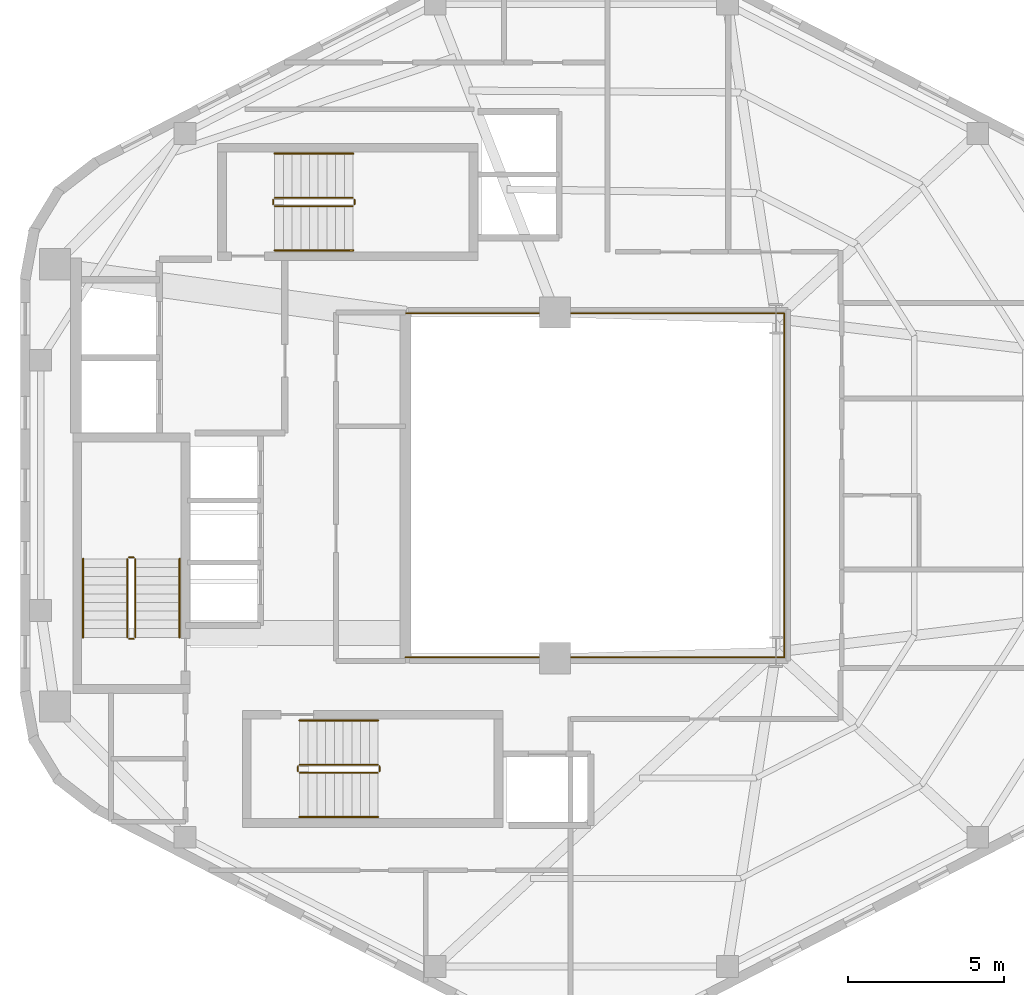
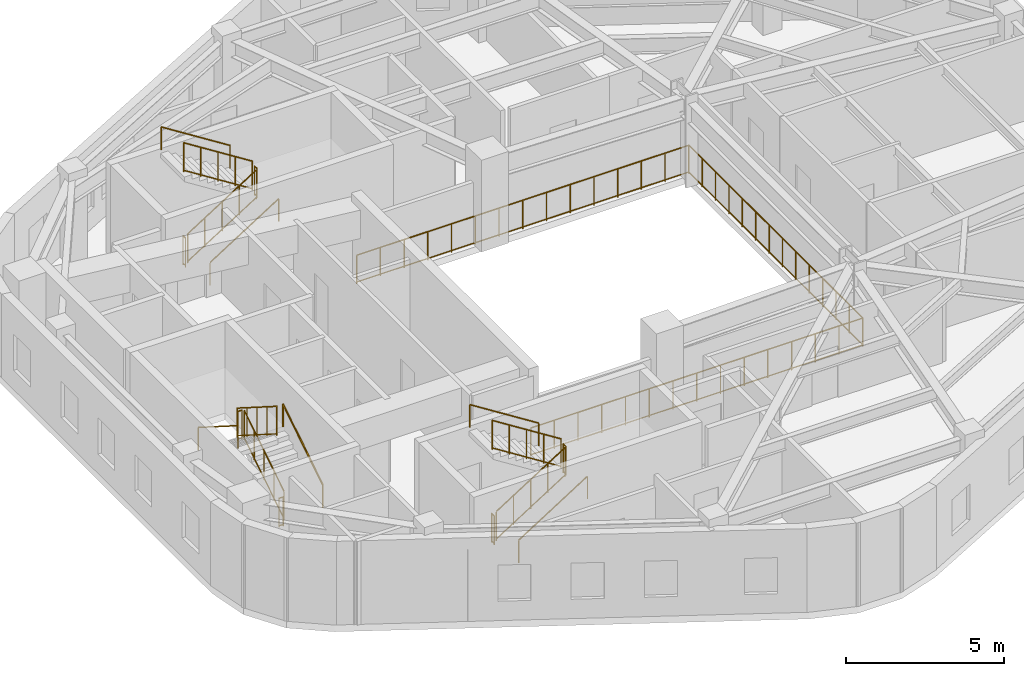
# One storey, part 6 of 6: 19 railings.
"""IFC4 building model written with IfcOpenShell, lengths in metres."""

from ifc_helpers import new_model, si_unit, direction, frame, origin, origin_2d, place, context, subcontext, project, spatial, circle, extrude, material, type_object, element, save


model = new_model("IFC4")

# Units and contexts
model_context = context("Model", 3, precision=1e-05, world=origin(), true_north=direction((0.0, 1.0)))
body_context = subcontext(model_context, "Body", "Model", "MODEL_VIEW")
ifc_project = project(units=[si_unit("LENGTHUNIT", "METRE"), si_unit("AREAUNIT", "SQUARE_METRE"), si_unit("VOLUMEUNIT", "CUBIC_METRE"), si_unit("PLANEANGLEUNIT", "RADIAN"), si_unit("MASSUNIT", "GRAM", prefix="KILO"), si_unit("THERMODYNAMICTEMPERATUREUNIT", "KELVIN"), si_unit("POWERUNIT", "WATT")], contexts=[model_context])

# Site, building, storey
site_placement = place(None, origin())
site = spatial("IfcSite", under=ifc_project, at=site_placement, CompositionType="ELEMENT")
building_placement = place(site_placement, origin())
building = spatial("IfcBuilding", under=site, at=building_placement, Name="Skarre Station Tower", CompositionType="ELEMENT")
storey_placement = place(building_placement, frame((0.0, 0.0, 266.75)))
storey = spatial("IfcBuildingStorey", under=building, at=storey_placement, Name="L73", CompositionType="ELEMENT", Elevation=266.75)

# Railings
ifc_material_1 = material(Name="Bronze Anodized Steel & Laminated Glass Balustrade", Category="steel")
railing_type_1 = type_object("IfcRailingType", Name="Atrium Void & Mezzanine Guard Balustrade 1120", PredefinedType="GUARDRAIL", material=ifc_material_1)
railing_1_placement = place(storey_placement, frame((27.550048828125, 18.47998046875, 0.0)))
element("IfcRailing", 1, at=railing_1_placement, inside=storey, type_object=railing_type_1, Name="L73 Atrium Void Guard Balustrade", PredefinedType="GUARDRAIL", context=body_context, shape_type="SweptSolid", body=[
    extrude(circle(Radius=0.02392578125, at=origin_2d()), frame((0.0, 0.0, 1.09619140625), z_axis=(1.0, 0.0, 0.0), x_axis=(0.0, 1.0, 0.0)), (0.0, 0.0, 1.0), 12.169921875),
    extrude(circle(Radius=0.02099609375, at=origin_2d()), frame((0.0, 0.0, 0.06005859375), z_axis=(1.0, 0.0, 0.0), x_axis=(0.0, 1.0, 0.0)), (0.0, 0.0, 1.0), 12.169921875),
    extrude(circle(Radius=0.02392578125, at=origin_2d()), frame((12.169921875, 0.0, 1.09619140625), z_axis=(0.0, 1.0, 0.0), x_axis=(-1.0, 0.0, 0.0)), (0.0, 0.0, 1.0), 11.0400390625),
    extrude(circle(Radius=0.02099609375, at=origin_2d()), frame((12.169921875, 0.0, 0.06005859375), z_axis=(0.0, 1.0, 0.0), x_axis=(-1.0, 0.0, 0.0)), (0.0, 0.0, 1.0), 11.0400390625),
    extrude(circle(Radius=0.02392578125, at=origin_2d()), frame((12.169921875, 11.0400390625, 1.09619140625), z_axis=(-1.0, 0.0, 0.0), x_axis=(0.0, -1.0, 0.0)), (0.0, 0.0, 1.0), 12.169921875),
    extrude(circle(Radius=0.02099609375, at=origin_2d()), frame((12.169921875, 11.0400390625, 0.06005859375), z_axis=(-1.0, 0.0, 0.0), x_axis=(0.0, -1.0, 0.0)), (0.0, 0.0, 1.0), 12.169921875),
    extrude(circle(Radius=0.02099609375, at=origin_2d()), origin(), (0.0, 0.0, 1.0), 1.072021484375),
    extrude(circle(Radius=0.02099609375, at=origin_2d()), frame((0.869384765625, 0.0, 0.0)), (0.0, 0.0, 1.0), 1.072021484375),
    extrude(circle(Radius=0.02099609375, at=origin_2d()), frame((1.738525390625, 0.0, 0.0)), (0.0, 0.0, 1.0), 1.072021484375),
    extrude(circle(Radius=0.02099609375, at=origin_2d()), frame((2.60791015625, 0.0, 0.0)), (0.0, 0.0, 1.0), 1.072021484375),
    extrude(circle(Radius=0.02099609375, at=origin_2d()), frame((3.47705078125, 0.0, 0.0)), (0.0, 0.0, 1.0), 1.072021484375),
    extrude(circle(Radius=0.02099609375, at=origin_2d()), frame((4.346435546875, 0.0, 0.0)), (0.0, 0.0, 1.0), 1.072021484375),
    extrude(circle(Radius=0.02099609375, at=origin_2d()), frame((5.215576171875, 0.0, 0.0)), (0.0, 0.0, 1.0), 1.072021484375),
    extrude(circle(Radius=0.02099609375, at=origin_2d()), frame((6.0849609375, 0.0, 0.0)), (0.0, 0.0, 1.0), 1.072021484375),
    extrude(circle(Radius=0.02099609375, at=origin_2d()), frame((6.954345703125, 0.0, 0.0)), (0.0, 0.0, 1.0), 1.072021484375),
    extrude(circle(Radius=0.02099609375, at=origin_2d()), frame((7.823486328125, 0.0, 0.0)), (0.0, 0.0, 1.0), 1.072021484375),
    extrude(circle(Radius=0.02099609375, at=origin_2d()), frame((8.69287109375, 0.0, 0.0)), (0.0, 0.0, 1.0), 1.072021484375),
    extrude(circle(Radius=0.02099609375, at=origin_2d()), frame((9.56201171875, 0.0, 0.0)), (0.0, 0.0, 1.0), 1.072021484375),
    extrude(circle(Radius=0.02099609375, at=origin_2d()), frame((10.431396484375, 0.0, 0.0)), (0.0, 0.0, 1.0), 1.072021484375),
    extrude(circle(Radius=0.02099609375, at=origin_2d()), frame((11.300537109375, 0.0, 0.0)), (0.0, 0.0, 1.0), 1.072021484375),
    extrude(circle(Radius=0.02099609375, at=origin_2d()), frame((12.169921875, 0.0, 0.0)), (0.0, 0.0, 1.0), 1.072021484375),
    extrude(circle(Radius=0.02099609375, at=origin_2d()), frame((12.169921875, 0.84912109375, 0.0)), (0.0, 0.0, 1.0), 1.072021484375),
    extrude(circle(Radius=0.02099609375, at=origin_2d()), frame((12.169921875, 1.698486328125, 0.0)), (0.0, 0.0, 1.0), 1.072021484375),
    extrude(circle(Radius=0.02099609375, at=origin_2d()), frame((12.169921875, 2.547607421875, 0.0)), (0.0, 0.0, 1.0), 1.072021484375),
    extrude(circle(Radius=0.02099609375, at=origin_2d()), frame((12.169921875, 3.39697265625, 0.0)), (0.0, 0.0, 1.0), 1.072021484375),
    extrude(circle(Radius=0.02099609375, at=origin_2d()), frame((12.169921875, 4.24609375, 0.0)), (0.0, 0.0, 1.0), 1.072021484375),
    extrude(circle(Radius=0.02099609375, at=origin_2d()), frame((12.169921875, 5.095458984375, 0.0)), (0.0, 0.0, 1.0), 1.072021484375),
    extrude(circle(Radius=0.02099609375, at=origin_2d()), frame((12.169921875, 5.944580078125, 0.0)), (0.0, 0.0, 1.0), 1.072021484375),
    extrude(circle(Radius=0.02099609375, at=origin_2d()), frame((12.169921875, 6.7939453125, 0.0)), (0.0, 0.0, 1.0), 1.072021484375),
    extrude(circle(Radius=0.02099609375, at=origin_2d()), frame((12.169921875, 7.64306640625, 0.0)), (0.0, 0.0, 1.0), 1.072021484375),
    extrude(circle(Radius=0.02099609375, at=origin_2d()), frame((12.169921875, 8.492431640625, 0.0)), (0.0, 0.0, 1.0), 1.072021484375),
    extrude(circle(Radius=0.02099609375, at=origin_2d()), frame((12.169921875, 9.341552734375, 0.0)), (0.0, 0.0, 1.0), 1.072021484375),
    extrude(circle(Radius=0.02099609375, at=origin_2d()), frame((12.169921875, 10.19091796875, 0.0)), (0.0, 0.0, 1.0), 1.072021484375),
    extrude(circle(Radius=0.02099609375, at=origin_2d()), frame((12.169921875, 11.0400390625, 0.0)), (0.0, 0.0, 1.0), 1.072021484375),
    extrude(circle(Radius=0.02099609375, at=origin_2d()), frame((11.300537109375, 11.0400390625, 0.0)), (0.0, 0.0, 1.0), 1.072021484375),
    extrude(circle(Radius=0.02099609375, at=origin_2d()), frame((10.431396484375, 11.0400390625, 0.0)), (0.0, 0.0, 1.0), 1.072021484375),
    extrude(circle(Radius=0.02099609375, at=origin_2d()), frame((9.56201171875, 11.0400390625, 0.0)), (0.0, 0.0, 1.0), 1.072021484375),
    extrude(circle(Radius=0.02099609375, at=origin_2d()), frame((8.69287109375, 11.0400390625, 0.0)), (0.0, 0.0, 1.0), 1.072021484375),
    extrude(circle(Radius=0.02099609375, at=origin_2d()), frame((7.823486328125, 11.0400390625, 0.0)), (0.0, 0.0, 1.0), 1.072021484375),
    extrude(circle(Radius=0.02099609375, at=origin_2d()), frame((6.954345703125, 11.0400390625, 0.0)), (0.0, 0.0, 1.0), 1.072021484375),
    extrude(circle(Radius=0.02099609375, at=origin_2d()), frame((6.0849609375, 11.0400390625, 0.0)), (0.0, 0.0, 1.0), 1.072021484375),
    extrude(circle(Radius=0.02099609375, at=origin_2d()), frame((5.215576171875, 11.0400390625, 0.0)), (0.0, 0.0, 1.0), 1.072021484375),
    extrude(circle(Radius=0.02099609375, at=origin_2d()), frame((4.346435546875, 11.0400390625, 0.0)), (0.0, 0.0, 1.0), 1.072021484375),
    extrude(circle(Radius=0.02099609375, at=origin_2d()), frame((3.47705078125, 11.0400390625, 0.0)), (0.0, 0.0, 1.0), 1.072021484375),
    extrude(circle(Radius=0.02099609375, at=origin_2d()), frame((2.60791015625, 11.0400390625, 0.0)), (0.0, 0.0, 1.0), 1.072021484375),
    extrude(circle(Radius=0.02099609375, at=origin_2d()), frame((1.738525390625, 11.0400390625, 0.0)), (0.0, 0.0, 1.0), 1.072021484375),
    extrude(circle(Radius=0.02099609375, at=origin_2d()), frame((0.869384765625, 11.0400390625, 0.0)), (0.0, 0.0, 1.0), 1.072021484375),
    extrude(circle(Radius=0.02099609375, at=origin_2d()), frame((0.0, 11.0400390625, 0.0)), (0.0, 0.0, 1.0), 1.072021484375),
])
ifc_material_2 = material(Name="Powder-Coated Tubular Steel", Category="steel")
railing_type_2 = type_object("IfcRailingType", Name="Painted Steel Ramp & Stair Handrail 920", PredefinedType="HANDRAIL", material=ifc_material_2)
railing_2_placement = place(storey_placement, frame((20.300048828125, 19.1201171875, 0.177490234375)))
element("IfcRailing", 2, at=railing_2_placement, inside=storey, type_object=railing_type_2, Name="L73 ST-1 stair handrail 1", PredefinedType="HANDRAIL", context=body_context, shape_type="SweptSolid", body=[
    extrude(circle(Radius=0.02392578125, at=origin_2d()), frame((0.0, 0.0, 0.8759765625), z_axis=(0.0, 0.844583492756, 0.535423872987), x_axis=(-1.0, 0.0, 0.0)), (0.0, 0.0, 1.0), 2.9833984375),
    extrude(circle(Radius=0.02099609375, at=origin_2d()), origin(), (0.0, 0.0, 1.0), 0.851806640625),
    extrude(circle(Radius=0.02099609375, at=origin_2d()), frame((0.0, 2.519775390625, 1.597412109375)), (0.0, 0.0, 1.0), 0.851806640625),
])
railing_3_placement = place(storey_placement, frame((17.199951171875, 21.639892578125, 1.952392578125)))
element("IfcRailing", 3, at=railing_3_placement, inside=storey, type_object=railing_type_2, Name="L73 ST-1 stair handrail 2", PredefinedType="HANDRAIL", context=body_context, shape_type="SweptSolid", body=[
    extrude(circle(Radius=0.02392578125, at=origin_2d()), frame((0.0, 0.0, 0.8759765625), z_axis=(0.0, -0.844546487299, 0.535482241341), x_axis=(1.0, 0.0, 0.0)), (0.0, 0.0, 1.0), 2.983642578125),
    extrude(circle(Radius=0.02099609375, at=origin_2d()), origin(), (0.0, 0.0, 1.0), 0.851806640625),
    extrude(circle(Radius=0.02099609375, at=origin_2d()), frame((0.0, -2.519775390625, 1.59765625)), (0.0, 0.0, 1.0), 0.851806640625),
])
railing_4_placement = place(storey_placement, frame((24.14990234375, 13.35009765625, 0.177490234375)))
element("IfcRailing", 4, at=railing_4_placement, inside=storey, type_object=railing_type_2, Name="L73 ST-2 stair handrail 1", PredefinedType="HANDRAIL", context=body_context, shape_type="SweptSolid", body=[
    extrude(circle(Radius=0.02392578125, at=origin_2d()), frame((0.0, 0.0, 0.8759765625), z_axis=(0.84460694969, 0.0, 0.535386869969), x_axis=(0.0, 1.0, 0.0)), (0.0, 0.0, 1.0), 2.983642578125),
    extrude(circle(Radius=0.02099609375, at=origin_2d()), origin(), (0.0, 0.0, 1.0), 0.851806640625),
    extrude(circle(Radius=0.02099609375, at=origin_2d()), frame((2.52001953125, 0.0, 1.597412109375)), (0.0, 0.0, 1.0), 0.851806640625),
])
railing_5_placement = place(storey_placement, frame((26.669921875, 16.449951171875, 1.952392578125)))
element("IfcRailing", 5, at=railing_5_placement, inside=storey, type_object=railing_type_2, Name="L73 ST-2 stair handrail 2", PredefinedType="HANDRAIL", context=body_context, shape_type="SweptSolid", body=[
    extrude(circle(Radius=0.02392578125, at=origin_2d()), frame((0.0, 0.0, 0.8759765625), z_axis=(-0.84456994832, 0.0, 0.535445237532), x_axis=(0.0, -1.0, 0.0)), (0.0, 0.0, 1.0), 2.98388671875),
    extrude(circle(Radius=0.02099609375, at=origin_2d()), origin(), (0.0, 0.0, 1.0), 0.851806640625),
    extrude(circle(Radius=0.02099609375, at=origin_2d()), frame((-2.52001953125, 0.0, 1.59765625)), (0.0, 0.0, 1.0), 0.851806640625),
])
railing_6_placement = place(storey_placement, frame((23.35009765625, 31.550048828125, 0.177490234375)))
element("IfcRailing", 6, at=railing_6_placement, inside=storey, type_object=railing_type_2, Name="L73 ST-3 stair handrail 1", PredefinedType="HANDRAIL", context=body_context, shape_type="SweptSolid", body=[
    extrude(circle(Radius=0.02392578125, at=origin_2d()), frame((0.0, 0.0, 0.8759765625), z_axis=(0.84460694969, 0.0, 0.535386869969), x_axis=(0.0, 1.0, 0.0)), (0.0, 0.0, 1.0), 2.983642578125),
    extrude(circle(Radius=0.02099609375, at=origin_2d()), origin(), (0.0, 0.0, 1.0), 0.851806640625),
    extrude(circle(Radius=0.02099609375, at=origin_2d()), frame((2.52001953125, 0.0, 1.597412109375)), (0.0, 0.0, 1.0), 0.851806640625),
])
railing_7_placement = place(storey_placement, frame((25.8701171875, 34.64990234375, 1.952392578125)))
element("IfcRailing", 7, at=railing_7_placement, inside=storey, type_object=railing_type_2, Name="L73 ST-3 stair handrail 2", PredefinedType="HANDRAIL", context=body_context, shape_type="SweptSolid", body=[
    extrude(circle(Radius=0.02392578125, at=origin_2d()), frame((0.0, 0.0, 0.8759765625), z_axis=(-0.84456994832, 0.0, 0.535445237532), x_axis=(0.0, -1.0, 0.0)), (0.0, 0.0, 1.0), 2.98388671875),
    extrude(circle(Radius=0.02099609375, at=origin_2d()), origin(), (0.0, 0.0, 1.0), 0.851806640625),
    extrude(circle(Radius=0.02099609375, at=origin_2d()), frame((-2.52001953125, 0.0, 1.59765625)), (0.0, 0.0, 1.0), 0.851806640625),
])
railing_type_3 = type_object("IfcRailingType", Name="Painted Steel Stairwell Guardrail 1100", PredefinedType="GUARDRAIL", material=ifc_material_2)
railing_8_placement = place(storey_placement, frame((18.8798828125, 19.1201171875, 0.177490234375)))
element("IfcRailing", 8, at=railing_8_placement, inside=storey, type_object=railing_type_3, Name="L73 ST-1 stair guard 1", PredefinedType="GUARDRAIL", context=body_context, shape_type="SweptSolid", body=[
    extrude(circle(Radius=0.02392578125, at=origin_2d()), frame((0.0, 0.0, 1.1259765625), z_axis=(0.0, 0.844583492756, 0.535423872987), x_axis=(-1.0, 0.0, 0.0)), (0.0, 0.0, 1.0), 2.9833984375),
    extrude(circle(Radius=0.02099609375, at=origin_2d()), frame((0.0, 0.0, 0.06005859375), z_axis=(0.0, 0.844583492756, 0.535423872987), x_axis=(-1.0, 0.0, 0.0)), (0.0, 0.0, 1.0), 2.9833984375),
    extrude(circle(Radius=0.02099609375, at=origin_2d()), origin(), (0.0, 0.0, 1.0), 1.101806640625),
    extrude(circle(Radius=0.02099609375, at=origin_2d()), frame((0.0, 0.6298828125, 0.3994140625)), (0.0, 0.0, 1.0), 1.101806640625),
    extrude(circle(Radius=0.02099609375, at=origin_2d()), frame((0.0, 1.259765625, 0.798828125)), (0.0, 0.0, 1.0), 1.101806640625),
    extrude(circle(Radius=0.02099609375, at=origin_2d()), frame((0.0, 1.889892578125, 1.197998046875)), (0.0, 0.0, 1.0), 1.101806640625),
    extrude(circle(Radius=0.02099609375, at=origin_2d()), frame((0.0, 2.519775390625, 1.597412109375)), (0.0, 0.0, 1.0), 1.101806640625),
])
railing_9_placement = place(storey_placement, frame((18.830078125, 21.68994140625, 1.77490234375)))
element("IfcRailing", 9, at=railing_9_placement, inside=storey, type_object=railing_type_3, Name="L73 ST-1 stair guard 2", PredefinedType="GUARDRAIL", context=body_context, shape_type="SweptSolid", body=[
    extrude(circle(Radius=0.02392578125, at=origin_2d()), frame((0.0, 0.0, 1.1259765625), z_axis=(-1.0, 0.0, 0.0), x_axis=(0.0, -1.0, 0.0)), (0.0, 0.0, 1.0), 0.16015625),
    extrude(circle(Radius=0.02099609375, at=origin_2d()), frame((0.0, 0.0, 0.06005859375), z_axis=(-1.0, 0.0, 0.0), x_axis=(0.0, -1.0, 0.0)), (0.0, 0.0, 1.0), 0.16015625),
    extrude(circle(Radius=0.02099609375, at=origin_2d()), origin(), (0.0, 0.0, 1.0), 1.101806640625),
    extrude(circle(Radius=0.02099609375, at=origin_2d()), frame((-0.16015625, 0.0, 0.0)), (0.0, 0.0, 1.0), 1.101806640625),
])
railing_10_placement = place(storey_placement, frame((18.6201171875, 21.639892578125, 1.952392578125)))
element("IfcRailing", 10, at=railing_10_placement, inside=storey, type_object=railing_type_3, Name="L73 ST-1 stair guard 3", PredefinedType="GUARDRAIL", context=body_context, shape_type="SweptSolid", body=[
    extrude(circle(Radius=0.02392578125, at=origin_2d()), frame((0.0, 0.0, 1.1259765625), z_axis=(0.0, -0.844546487299, 0.535482241341), x_axis=(1.0, 0.0, 0.0)), (0.0, 0.0, 1.0), 2.983642578125),
    extrude(circle(Radius=0.02099609375, at=origin_2d()), frame((0.0, 0.0, 0.06005859375), z_axis=(0.0, -0.844546487299, 0.535482241341), x_axis=(1.0, 0.0, 0.0)), (0.0, 0.0, 1.0), 2.983642578125),
    extrude(circle(Radius=0.02099609375, at=origin_2d()), origin(), (0.0, 0.0, 1.0), 1.101806640625),
    extrude(circle(Radius=0.02099609375, at=origin_2d()), frame((0.0, -0.6298828125, 0.3994140625)), (0.0, 0.0, 1.0), 1.101806640625),
    extrude(circle(Radius=0.02099609375, at=origin_2d()), frame((0.0, -1.259765625, 0.798828125)), (0.0, 0.0, 1.0), 1.101806640625),
    extrude(circle(Radius=0.02099609375, at=origin_2d()), frame((0.0, -1.889892578125, 1.1982421875)), (0.0, 0.0, 1.0), 1.101806640625),
    extrude(circle(Radius=0.02099609375, at=origin_2d()), frame((0.0, -2.519775390625, 1.59765625)), (0.0, 0.0, 1.0), 1.101806640625),
])
railing_11_placement = place(storey_placement, frame((18.830078125, 19.070068359375, 0.0)))
element("IfcRailing", 11, at=railing_11_placement, inside=storey, type_object=railing_type_3, Name="L73 ST-1 stair guard 4", PredefinedType="GUARDRAIL", context=body_context, shape_type="SweptSolid", body=[
    extrude(circle(Radius=0.02392578125, at=origin_2d()), frame((0.0, 0.0, 1.1259765625), z_axis=(-1.0, 0.0, 0.0), x_axis=(0.0, -1.0, 0.0)), (0.0, 0.0, 1.0), 0.16015625),
    extrude(circle(Radius=0.02099609375, at=origin_2d()), frame((0.0, 0.0, 0.06005859375), z_axis=(-1.0, 0.0, 0.0), x_axis=(0.0, -1.0, 0.0)), (0.0, 0.0, 1.0), 0.16015625),
    extrude(circle(Radius=0.02099609375, at=origin_2d()), origin(), (0.0, 0.0, 1.0), 1.101806640625),
    extrude(circle(Radius=0.02099609375, at=origin_2d()), frame((-0.16015625, 0.0, 0.0)), (0.0, 0.0, 1.0), 1.101806640625),
])
railing_12_placement = place(storey_placement, frame((24.14990234375, 14.77001953125, 0.177490234375)))
element("IfcRailing", 12, at=railing_12_placement, inside=storey, type_object=railing_type_3, Name="L73 ST-2 stair guard 1", PredefinedType="GUARDRAIL", context=body_context, shape_type="SweptSolid", body=[
    extrude(circle(Radius=0.02392578125, at=origin_2d()), frame((0.0, 0.0, 1.1259765625), z_axis=(0.84460694969, 0.0, 0.535386869969), x_axis=(0.0, 1.0, 0.0)), (0.0, 0.0, 1.0), 2.983642578125),
    extrude(circle(Radius=0.02099609375, at=origin_2d()), frame((0.0, 0.0, 0.06005859375), z_axis=(0.84460694969, 0.0, 0.535386869969), x_axis=(0.0, 1.0, 0.0)), (0.0, 0.0, 1.0), 2.983642578125),
    extrude(circle(Radius=0.02099609375, at=origin_2d()), origin(), (0.0, 0.0, 1.0), 1.101806640625),
    extrude(circle(Radius=0.02099609375, at=origin_2d()), frame((0.6298828125, 0.0, 0.3994140625)), (0.0, 0.0, 1.0), 1.101806640625),
    extrude(circle(Radius=0.02099609375, at=origin_2d()), frame((1.260009765625, 0.0, 0.798828125)), (0.0, 0.0, 1.0), 1.101806640625),
    extrude(circle(Radius=0.02099609375, at=origin_2d()), frame((1.89013671875, 0.0, 1.197998046875)), (0.0, 0.0, 1.0), 1.101806640625),
    extrude(circle(Radius=0.02099609375, at=origin_2d()), frame((2.52001953125, 0.0, 1.597412109375)), (0.0, 0.0, 1.0), 1.101806640625),
])
railing_13_placement = place(storey_placement, frame((26.719970703125, 14.820068359375, 1.77490234375)))
element("IfcRailing", 13, at=railing_13_placement, inside=storey, type_object=railing_type_3, Name="L73 ST-2 stair guard 2", PredefinedType="GUARDRAIL", context=body_context, shape_type="SweptSolid", body=[
    extrude(circle(Radius=0.02392578125, at=origin_2d()), frame((0.0, 0.0, 1.1259765625), z_axis=(0.0, 1.0, 0.0), x_axis=(-1.0, 0.0, 0.0)), (0.0, 0.0, 1.0), 0.159912109375),
    extrude(circle(Radius=0.02099609375, at=origin_2d()), frame((0.0, 0.0, 0.06005859375), z_axis=(0.0, 1.0, 0.0), x_axis=(-1.0, 0.0, 0.0)), (0.0, 0.0, 1.0), 0.159912109375),
    extrude(circle(Radius=0.02099609375, at=origin_2d()), origin(), (0.0, 0.0, 1.0), 1.101806640625),
    extrude(circle(Radius=0.02099609375, at=origin_2d()), frame((0.0, 0.159912109375, 0.0)), (0.0, 0.0, 1.0), 1.101806640625),
])
railing_14_placement = place(storey_placement, frame((26.669921875, 15.030029296875, 1.952392578125)))
element("IfcRailing", 14, at=railing_14_placement, inside=storey, type_object=railing_type_3, Name="L73 ST-2 stair guard 3", PredefinedType="GUARDRAIL", context=body_context, shape_type="SweptSolid", body=[
    extrude(circle(Radius=0.02392578125, at=origin_2d()), frame((0.0, 0.0, 1.1259765625), z_axis=(-0.84456994832, 0.0, 0.535445237532), x_axis=(0.0, -1.0, 0.0)), (0.0, 0.0, 1.0), 2.98388671875),
    extrude(circle(Radius=0.02099609375, at=origin_2d()), frame((0.0, 0.0, 0.06005859375), z_axis=(-0.84456994832, 0.0, 0.535445237532), x_axis=(0.0, -1.0, 0.0)), (0.0, 0.0, 1.0), 2.98388671875),
    extrude(circle(Radius=0.02099609375, at=origin_2d()), origin(), (0.0, 0.0, 1.0), 1.101806640625),
    extrude(circle(Radius=0.02099609375, at=origin_2d()), frame((-0.6298828125, 0.0, 0.3994140625)), (0.0, 0.0, 1.0), 1.101806640625),
    extrude(circle(Radius=0.02099609375, at=origin_2d()), frame((-1.260009765625, 0.0, 0.798828125)), (0.0, 0.0, 1.0), 1.101806640625),
    extrude(circle(Radius=0.02099609375, at=origin_2d()), frame((-1.89013671875, 0.0, 1.1982421875)), (0.0, 0.0, 1.0), 1.101806640625),
    extrude(circle(Radius=0.02099609375, at=origin_2d()), frame((-2.52001953125, 0.0, 1.59765625)), (0.0, 0.0, 1.0), 1.101806640625),
])
railing_15_placement = place(storey_placement, frame((24.10009765625, 14.820068359375, 0.0)))
element("IfcRailing", 15, at=railing_15_placement, inside=storey, type_object=railing_type_3, Name="L73 ST-2 stair guard 4", PredefinedType="GUARDRAIL", context=body_context, shape_type="SweptSolid", body=[
    extrude(circle(Radius=0.02392578125, at=origin_2d()), frame((0.0, 0.0, 1.1259765625), z_axis=(0.0, 1.0, 0.0), x_axis=(-1.0, 0.0, 0.0)), (0.0, 0.0, 1.0), 0.159912109375),
    extrude(circle(Radius=0.02099609375, at=origin_2d()), frame((0.0, 0.0, 0.06005859375), z_axis=(0.0, 1.0, 0.0), x_axis=(-1.0, 0.0, 0.0)), (0.0, 0.0, 1.0), 0.159912109375),
    extrude(circle(Radius=0.02099609375, at=origin_2d()), origin(), (0.0, 0.0, 1.0), 1.101806640625),
    extrude(circle(Radius=0.02099609375, at=origin_2d()), frame((0.0, 0.159912109375, 0.0)), (0.0, 0.0, 1.0), 1.101806640625),
])
railing_16_placement = place(storey_placement, frame((23.35009765625, 32.969970703125, 0.177490234375)))
element("IfcRailing", 16, at=railing_16_placement, inside=storey, type_object=railing_type_3, Name="L73 ST-3 stair guard 1", PredefinedType="GUARDRAIL", context=body_context, shape_type="SweptSolid", body=[
    extrude(circle(Radius=0.02392578125, at=origin_2d()), frame((0.0, 0.0, 1.1259765625), z_axis=(0.84460694969, 0.0, 0.535386869969), x_axis=(0.0, 1.0, 0.0)), (0.0, 0.0, 1.0), 2.983642578125),
    extrude(circle(Radius=0.02099609375, at=origin_2d()), frame((0.0, 0.0, 0.06005859375), z_axis=(0.84460694969, 0.0, 0.535386869969), x_axis=(0.0, 1.0, 0.0)), (0.0, 0.0, 1.0), 2.983642578125),
    extrude(circle(Radius=0.02099609375, at=origin_2d()), origin(), (0.0, 0.0, 1.0), 1.101806640625),
    extrude(circle(Radius=0.02099609375, at=origin_2d()), frame((0.6298828125, 0.0, 0.3994140625)), (0.0, 0.0, 1.0), 1.101806640625),
    extrude(circle(Radius=0.02099609375, at=origin_2d()), frame((1.260009765625, 0.0, 0.798828125)), (0.0, 0.0, 1.0), 1.101806640625),
    extrude(circle(Radius=0.02099609375, at=origin_2d()), frame((1.89013671875, 0.0, 1.197998046875)), (0.0, 0.0, 1.0), 1.101806640625),
    extrude(circle(Radius=0.02099609375, at=origin_2d()), frame((2.52001953125, 0.0, 1.597412109375)), (0.0, 0.0, 1.0), 1.101806640625),
])
railing_17_placement = place(storey_placement, frame((25.919921875, 33.02001953125, 1.77490234375)))
element("IfcRailing", 17, at=railing_17_placement, inside=storey, type_object=railing_type_3, Name="L73 ST-3 stair guard 2", PredefinedType="GUARDRAIL", context=body_context, shape_type="SweptSolid", body=[
    extrude(circle(Radius=0.02392578125, at=origin_2d()), frame((0.0, 0.0, 1.1259765625), z_axis=(0.0, 1.0, 0.0), x_axis=(-1.0, 0.0, 0.0)), (0.0, 0.0, 1.0), 0.159912109375),
    extrude(circle(Radius=0.02099609375, at=origin_2d()), frame((0.0, 0.0, 0.06005859375), z_axis=(0.0, 1.0, 0.0), x_axis=(-1.0, 0.0, 0.0)), (0.0, 0.0, 1.0), 0.159912109375),
    extrude(circle(Radius=0.02099609375, at=origin_2d()), origin(), (0.0, 0.0, 1.0), 1.101806640625),
    extrude(circle(Radius=0.02099609375, at=origin_2d()), frame((0.0, 0.159912109375, 0.0)), (0.0, 0.0, 1.0), 1.101806640625),
])
railing_18_placement = place(storey_placement, frame((25.8701171875, 33.22998046875, 1.952392578125)))
element("IfcRailing", 18, at=railing_18_placement, inside=storey, type_object=railing_type_3, Name="L73 ST-3 stair guard 3", PredefinedType="GUARDRAIL", context=body_context, shape_type="SweptSolid", body=[
    extrude(circle(Radius=0.02392578125, at=origin_2d()), frame((0.0, 0.0, 1.1259765625), z_axis=(-0.84456994832, 0.0, 0.535445237532), x_axis=(0.0, -1.0, 0.0)), (0.0, 0.0, 1.0), 2.98388671875),
    extrude(circle(Radius=0.02099609375, at=origin_2d()), frame((0.0, 0.0, 0.06005859375), z_axis=(-0.84456994832, 0.0, 0.535445237532), x_axis=(0.0, -1.0, 0.0)), (0.0, 0.0, 1.0), 2.98388671875),
    extrude(circle(Radius=0.02099609375, at=origin_2d()), origin(), (0.0, 0.0, 1.0), 1.101806640625),
    extrude(circle(Radius=0.02099609375, at=origin_2d()), frame((-0.6298828125, 0.0, 0.3994140625)), (0.0, 0.0, 1.0), 1.101806640625),
    extrude(circle(Radius=0.02099609375, at=origin_2d()), frame((-1.260009765625, 0.0, 0.798828125)), (0.0, 0.0, 1.0), 1.101806640625),
    extrude(circle(Radius=0.02099609375, at=origin_2d()), frame((-1.89013671875, 0.0, 1.1982421875)), (0.0, 0.0, 1.0), 1.101806640625),
    extrude(circle(Radius=0.02099609375, at=origin_2d()), frame((-2.52001953125, 0.0, 1.59765625)), (0.0, 0.0, 1.0), 1.101806640625),
])
railing_19_placement = place(storey_placement, frame((23.300048828125, 33.02001953125, 0.0)))
element("IfcRailing", 19, at=railing_19_placement, inside=storey, type_object=railing_type_3, Name="L73 ST-3 stair guard 4", PredefinedType="GUARDRAIL", context=body_context, shape_type="SweptSolid", body=[
    extrude(circle(Radius=0.02392578125, at=origin_2d()), frame((0.0, 0.0, 1.1259765625), z_axis=(0.0, 1.0, 0.0), x_axis=(-1.0, 0.0, 0.0)), (0.0, 0.0, 1.0), 0.159912109375),
    extrude(circle(Radius=0.02099609375, at=origin_2d()), frame((0.0, 0.0, 0.06005859375), z_axis=(0.0, 1.0, 0.0), x_axis=(-1.0, 0.0, 0.0)), (0.0, 0.0, 1.0), 0.159912109375),
    extrude(circle(Radius=0.02099609375, at=origin_2d()), origin(), (0.0, 0.0, 1.0), 1.101806640625),
    extrude(circle(Radius=0.02099609375, at=origin_2d()), frame((0.0, 0.159912109375, 0.0)), (0.0, 0.0, 1.0), 1.101806640625),
])

save(model, "model.ifc")
